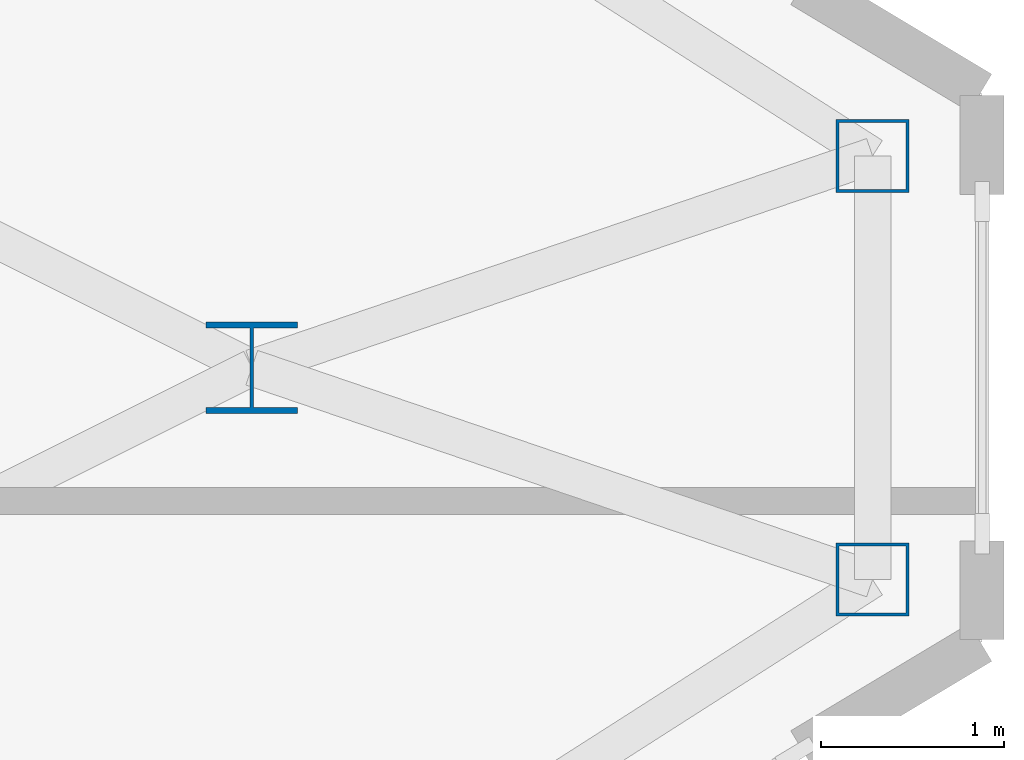
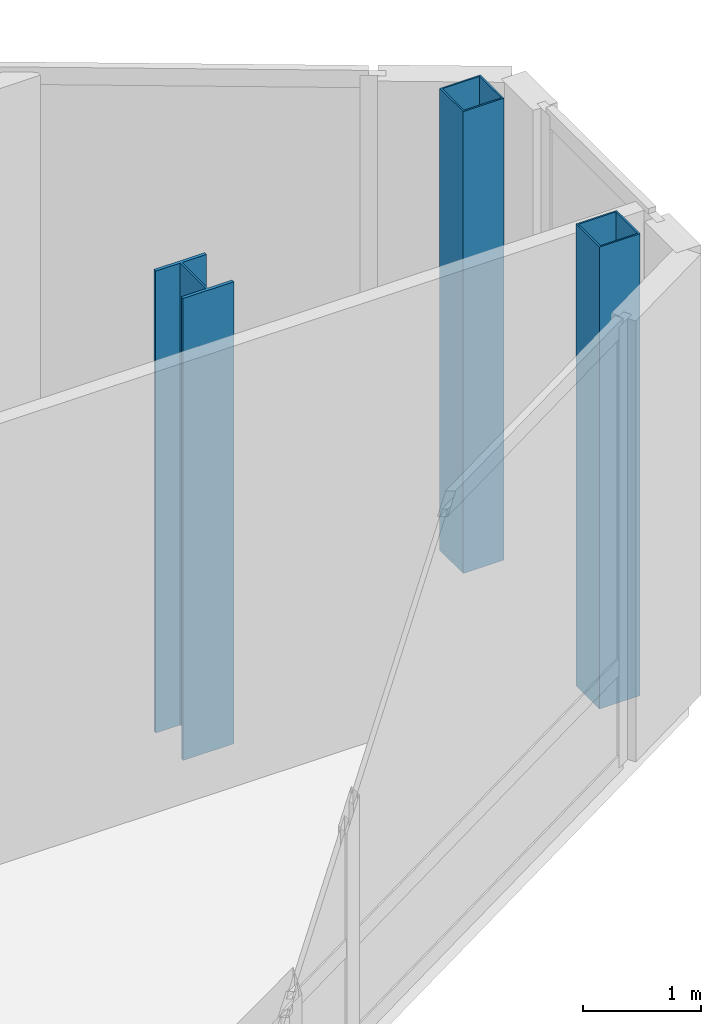
# One storey, part 7 of 30: 3 columns.
"""IFC4 building model written with IfcOpenShell, lengths in metres."""

from ifc_helpers import new_model, si_unit, direction, frame, origin, origin_2d, place, context, subcontext, project, spatial, hollow_rectangle, i_section, extrude, source, transform, mapped, material, material_profile, profile_set, type_object, type_shapes, element, save


model = new_model("IFC4")

# Units and contexts
model_context = context("Model", 3, precision=1e-05, world=origin(), true_north=direction((0.0, 1.0)))
body_context = subcontext(model_context, "Body", "Model", "MODEL_VIEW")
ifc_project = project(units=[si_unit("LENGTHUNIT", "METRE"), si_unit("AREAUNIT", "SQUARE_METRE"), si_unit("VOLUMEUNIT", "CUBIC_METRE"), si_unit("PLANEANGLEUNIT", "RADIAN"), si_unit("MASSUNIT", "GRAM", prefix="KILO")], contexts=[model_context])

# Site, building, storey
site_placement = place(None, origin())
site = spatial("IfcSite", under=ifc_project, at=site_placement, CompositionType="ELEMENT")
building_placement = place(site_placement, origin())
building = spatial("IfcBuilding", under=site, at=building_placement, Name="Seokmaru Belvedere", CompositionType="ELEMENT")
storey_placement = place(building_placement, frame((0.0, 0.0, 234.60009765625)))
storey = spatial("IfcBuildingStorey", under=building, at=storey_placement, Name="L62", CompositionType="ELEMENT", Elevation=234.60009765625)

# Columns
ifc_material = material(Name="Steel SM355 (355 MPa)", Category="steel")
ifc_material_profile_1 = material_profile(ifc_material, i_section(OverallWidth=0.5, OverallDepth=0.5, WebThickness=0.02001953125, FlangeThickness=0.031982421875, at=origin_2d()), Name="H-500x500x20x32")
ifc_profile_set_1 = profile_set([ifc_material_profile_1], Name="Steel SM355 (355 MPa)")
column_type_1 = type_object("IfcColumnType", Name="High-Rise Interior Column H-500", PredefinedType="COLUMN", material=ifc_profile_set_1)
shared_shape_1 = source(origin(), body_context, "Body", "SweptSolid", [
    extrude(i_section(OverallWidth=0.5, OverallDepth=0.5, WebThickness=0.02001953125, FlangeThickness=0.031982421875, at=origin_2d()), origin(), (0.0, 0.0, 1.0), 4.7998046875),
])
type_shapes(column_type_1, [shared_shape_1])
column_placement = place(storey_placement, frame((63.5, 0.0, 0.0), z_axis=(0.0, 0.0, 1.0), x_axis=(1.0, 0.0, 0.0)))
element("IfcColumn", 1, at=column_placement, inside=storey, type_object=column_type_1, Name="L62 Column EG3P_1", PredefinedType="COLUMN", context=body_context, shape_type="MappedRepresentation", body=[
    mapped(shared_shape_1, transform((0.0, 0.0, 0.0), scale=1.0)),
])
ifc_material_profile_2 = material_profile(ifc_material, hollow_rectangle(XDim=0.39990234375, YDim=0.39990234375, WallThickness=0.01611328125, at=origin_2d()), Name="HSS-400x400x16")
ifc_profile_set_2 = profile_set([ifc_material_profile_2], Name="Steel SM355 (355 MPa)")
column_type_2 = type_object("IfcColumnType", Name="Perimeter Facet Column HSS-400", PredefinedType="COLUMN", material=ifc_profile_set_2)
shared_shape_2 = source(origin(), body_context, "Body", "SweptSolid", [
    extrude(hollow_rectangle(XDim=0.39990234375, YDim=0.39990234375, WallThickness=0.01611328125, at=origin_2d()), origin(), (0.0, 0.0, 1.0), 4.7998046875),
])
type_shapes(column_type_2, [shared_shape_2])
for number, where, z_axis, x_axis, name in (
    (2, (66.89990234375, -1.160400390625, 0.0), (0.0, 0.0, 1.0), (1.0, 0.0, 0.0), "L62 Column EF2"),
    (3, (66.89990234375, 1.160400390625, 0.0), (0.0, 0.0, 1.0), (1.0, 0.0, 0.0), "L62 Column EF3"),
):
    element("IfcColumn", number, at=place(storey_placement, frame(where, z_axis=z_axis, x_axis=x_axis)), inside=storey, type_object=column_type_2, Name=name, PredefinedType="COLUMN", context=body_context, shape_type="MappedRepresentation", body=[
        mapped(shared_shape_2, transform((0.0, 0.0, 0.0), scale=1.0)),
    ])

save(model, "model.ifc")
